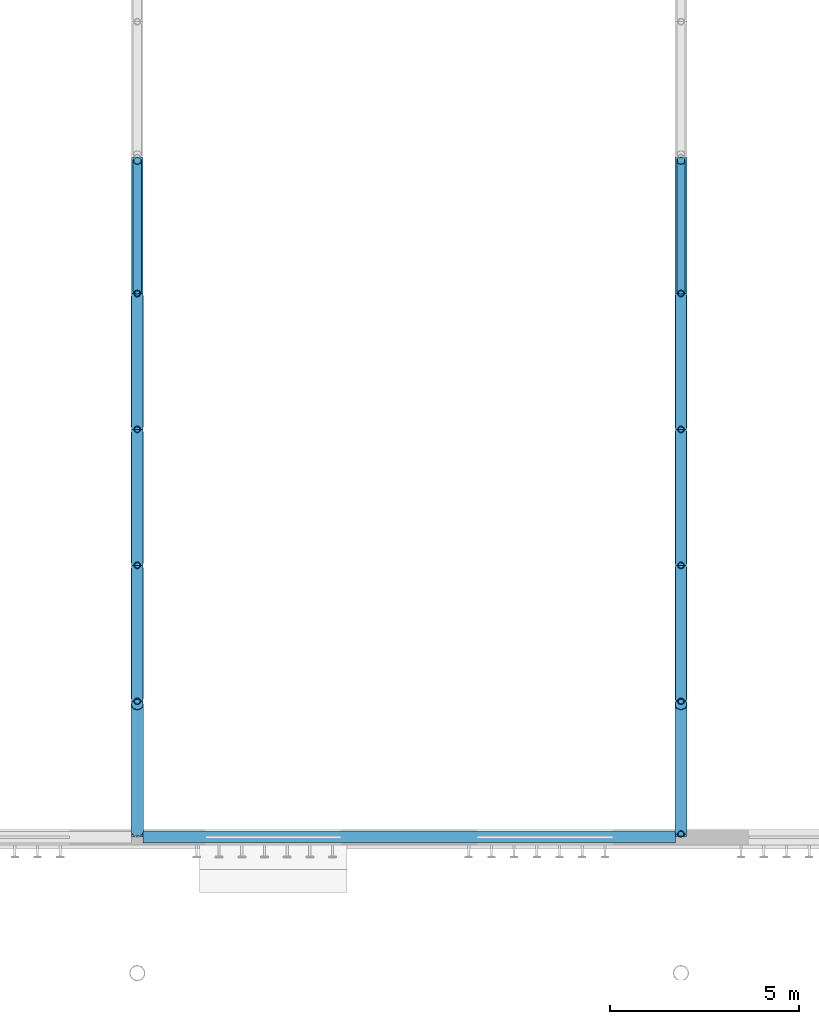
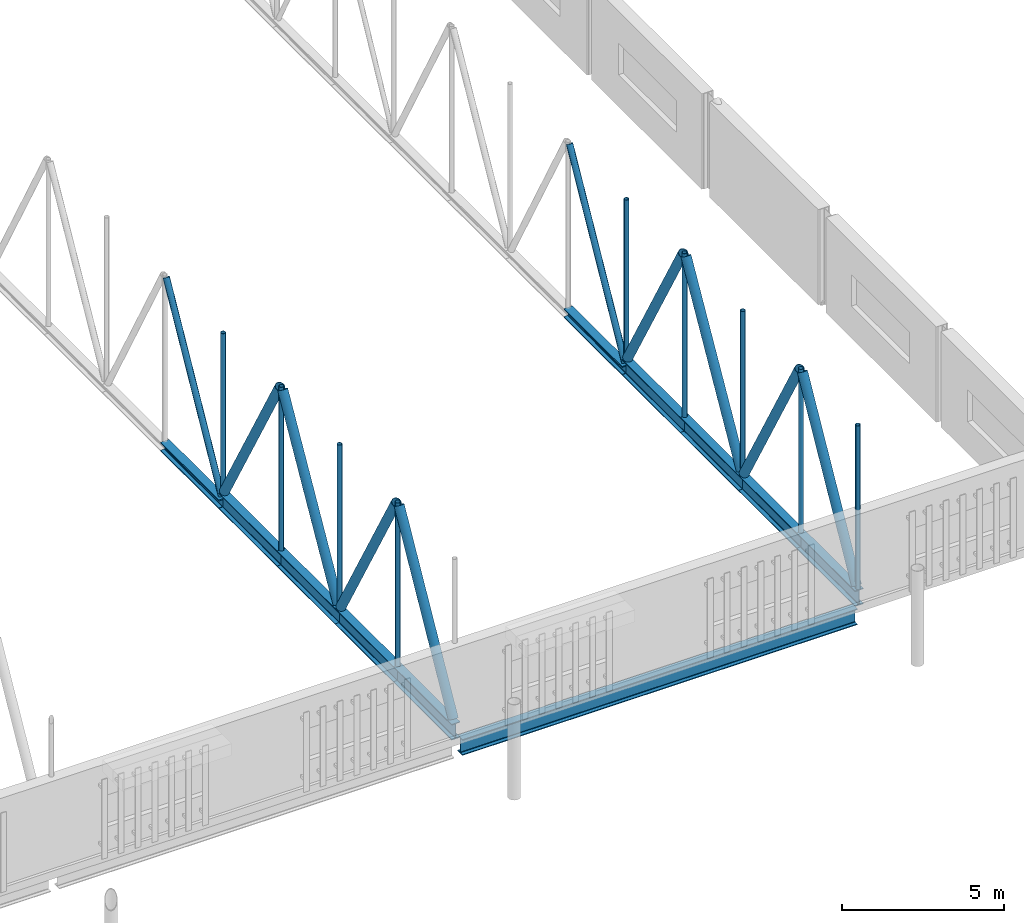
# One storey, part 57 of 142: 29 members, 1 beam.
"""IFC4 building model written with IfcOpenShell, lengths in metres."""

from ifc_helpers import new_model, si_unit, direction, frame, origin, origin_2d, place, context, subcontext, project, spatial, hollow_circle, i_section, extrude, material, material_profile, profile_set, type_object, element, save


model = new_model("IFC4")

# Units and contexts
model_context = context("Model", 3, precision=1e-05, world=origin(), true_north=direction((0.0, 1.0)))
body_context = subcontext(model_context, "Body", "Model", "MODEL_VIEW")
ifc_project = project(units=[si_unit("LENGTHUNIT", "METRE"), si_unit("AREAUNIT", "SQUARE_METRE"), si_unit("VOLUMEUNIT", "CUBIC_METRE"), si_unit("PLANEANGLEUNIT", "RADIAN"), si_unit("MASSUNIT", "GRAM", prefix="KILO")], contexts=[model_context])

# Site, building, storey
site_placement = place(None, origin())
site = spatial("IfcSite", under=ifc_project, at=site_placement, CompositionType="ELEMENT")
building_placement = place(site_placement, origin())
building = spatial("IfcBuilding", under=site, at=building_placement, Name="Kupolbacken Congress Centre", CompositionType="ELEMENT")
storey_placement = place(building_placement, frame((0.0, 0.0, 14.39990234375)))
storey = spatial("IfcBuildingStorey", under=building, at=storey_placement, Name="L04", CompositionType="ELEMENT", Elevation=14.39990234375)

# Beam
ifc_material_1 = material(Name="Steel S355", Category="steel")
ifc_material_profile_1 = material_profile(ifc_material_1, i_section(OverallWidth=0.300048828125, OverallDepth=0.60009765625, WebThickness=0.015380859375, FlangeThickness=0.030029296875, FilletRadius=0.027099609375, at=origin_2d()), Name="HEB 600")
ifc_profile_set_1 = profile_set([ifc_material_profile_1], Name="Steel S355")
beam_type = type_object("IfcBeamType", Name="B15 beam HEB 600", PredefinedType="BEAM", material=ifc_profile_set_1)
beam_placement = place(storey_placement, frame((180.14990234375, 43.199951171875, -0.2998046875), z_axis=(1.0, 0.0, 0.0), x_axis=(0.0, 1.0, 0.0)))
element("IfcBeam", 1, at=beam_placement, inside=storey, type_object=beam_type, Name="Edge girder", PredefinedType="BEAM", context=body_context, shape_type="SweptSolid", body=[
    extrude(i_section(OverallWidth=0.300048828125, OverallDepth=0.60009765625, WebThickness=0.015380859375, FlangeThickness=0.030029296875, FilletRadius=0.027099609375, at=origin_2d()), origin(), (0.0, 0.0, 1.0), 14.10009765625),
])

# Members
ifc_material_2 = material(Name="Steel S355", Category="steel")
ifc_material_profile_2 = material_profile(ifc_material_2, i_section(OverallWidth=0.31005859375, OverallDepth=0.340087890625, WebThickness=0.02099609375, FlangeThickness=0.0390625, FilletRadius=0.027099609375, at=origin_2d()), Name="HEM 300")
ifc_profile_set_2 = profile_set([ifc_material_profile_2], Name="Steel S355")
member_type_1 = type_object("IfcMemberType", Name="M01 transfer truss chord HEM 300", PredefinedType="CHORD", material=ifc_profile_set_2)
for number, where, z_axis, x_axis, name in (
    (2, (180.0, 57.60009765625, 0.16015625), (0.0, 1.0, 0.0), (-1.0, 0.0, 0.0), "HT/T7/BC05"),
    (3, (194.39990234375, 57.60009765625, 0.16015625), (0.0, 1.0, 0.0), (-1.0, 0.0, 0.0), "HT/T8/BC05"),
):
    element("IfcMember", number, at=place(storey_placement, frame(where, z_axis=z_axis, x_axis=x_axis)), inside=storey, type_object=member_type_1, Name=name, PredefinedType="CHORD", context=body_context, shape_type="SweptSolid", body=[
        extrude(i_section(OverallWidth=0.31005859375, OverallDepth=0.340087890625, WebThickness=0.02099609375, FlangeThickness=0.0390625, FilletRadius=0.027099609375, at=origin_2d()), origin(), (0.0, 0.0, 1.0), 3.599853515625),
    ])
ifc_material_3 = material(Name="Steel S355", Category="steel")
ifc_material_profile_3 = material_profile(ifc_material_3, i_section(OverallWidth=0.300048828125, OverallDepth=0.60009765625, WebThickness=0.015380859375, FlangeThickness=0.030029296875, FilletRadius=0.027099609375, at=origin_2d()), Name="HEB 600")
ifc_profile_set_3 = profile_set([ifc_material_profile_3], Name="Steel S355")
member_type_2 = type_object("IfcMemberType", Name="M02 transfer truss chord HEB 600", PredefinedType="CHORD", material=ifc_profile_set_3)
member_1_placement = place(storey_placement, frame((180.0, 43.199951171875, 0.2900390625), z_axis=(0.0, 1.0, 0.0), x_axis=(-1.0, 0.0, 0.0)))
element("IfcMember", 4, at=member_1_placement, inside=storey, type_object=member_type_2, Name="HT/T7/BC01", PredefinedType="CHORD", context=body_context, shape_type="SweptSolid", body=[
    extrude(i_section(OverallWidth=0.300048828125, OverallDepth=0.60009765625, WebThickness=0.015380859375, FlangeThickness=0.030029296875, FilletRadius=0.027099609375, at=origin_2d()), origin(), (0.0, 0.0, 1.0), 3.60009765625),
])
member_2_placement = place(storey_placement, frame((180.0, 46.800048828125, 0.2900390625), z_axis=(0.0, 1.0, 0.0), x_axis=(-1.0, 0.0, 0.0)))
element("IfcMember", 5, at=member_2_placement, inside=storey, type_object=member_type_2, Name="HT/T7/BC02", PredefinedType="CHORD", context=body_context, shape_type="SweptSolid", body=[
    extrude(i_section(OverallWidth=0.300048828125, OverallDepth=0.60009765625, WebThickness=0.015380859375, FlangeThickness=0.030029296875, FilletRadius=0.027099609375, at=origin_2d()), origin(), (0.0, 0.0, 1.0), 3.599853515625),
])
for number, where, z_axis, x_axis, name in (
    (6, (180.0, 50.39990234375, 0.2900390625), (0.0, 1.0, 0.0), (-1.0, 0.0, 0.0), "HT/T7/BC03"),
    (7, (180.0, 54.0, 0.2900390625), (0.0, 1.0, 0.0), (-1.0, 0.0, 0.0), "HT/T7/BC04"),
    (8, (194.39990234375, 43.199951171875, 0.2900390625), (0.0, 1.0, 0.0), (-1.0, 0.0, 0.0), "HT/T8/BC01"),
):
    element("IfcMember", number, at=place(storey_placement, frame(where, z_axis=z_axis, x_axis=x_axis)), inside=storey, type_object=member_type_2, Name=name, PredefinedType="CHORD", context=body_context, shape_type="SweptSolid", body=[
        extrude(i_section(OverallWidth=0.300048828125, OverallDepth=0.60009765625, WebThickness=0.015380859375, FlangeThickness=0.030029296875, FilletRadius=0.027099609375, at=origin_2d()), origin(), (0.0, 0.0, 1.0), 3.60009765625),
    ])
member_3_placement = place(storey_placement, frame((194.39990234375, 46.800048828125, 0.2900390625), z_axis=(0.0, 1.0, 0.0), x_axis=(-1.0, 0.0, 0.0)))
element("IfcMember", 9, at=member_3_placement, inside=storey, type_object=member_type_2, Name="HT/T8/BC02", PredefinedType="CHORD", context=body_context, shape_type="SweptSolid", body=[
    extrude(i_section(OverallWidth=0.300048828125, OverallDepth=0.60009765625, WebThickness=0.015380859375, FlangeThickness=0.030029296875, FilletRadius=0.027099609375, at=origin_2d()), origin(), (0.0, 0.0, 1.0), 3.599853515625),
])
for number, where, z_axis, x_axis, name in (
    (10, (194.39990234375, 50.39990234375, 0.2900390625), (0.0, 1.0, 0.0), (-1.0, 0.0, 0.0), "HT/T8/BC03"),
    (11, (194.39990234375, 54.0, 0.2900390625), (0.0, 1.0, 0.0), (-1.0, 0.0, 0.0), "HT/T8/BC04"),
):
    element("IfcMember", number, at=place(storey_placement, frame(where, z_axis=z_axis, x_axis=x_axis)), inside=storey, type_object=member_type_2, Name=name, PredefinedType="CHORD", context=body_context, shape_type="SweptSolid", body=[
        extrude(i_section(OverallWidth=0.300048828125, OverallDepth=0.60009765625, WebThickness=0.015380859375, FlangeThickness=0.030029296875, FilletRadius=0.027099609375, at=origin_2d()), origin(), (0.0, 0.0, 1.0), 3.60009765625),
    ])
ifc_material_4 = material(Name="Steel S355", Category="steel")
ifc_material_profile_4 = material_profile(ifc_material_4, hollow_circle(Radius=0.161865234375, WallThickness=0.012451171875, at=origin_2d()), Name="CHS 323.9 x 12.5")
ifc_profile_set_4 = profile_set([ifc_material_profile_4], Name="Steel S355")
member_type_3 = type_object("IfcMemberType", Name="M04 transfer truss web CHS 323.9 x 12.5", PredefinedType="BRACE", material=ifc_profile_set_4)
member_4_placement = place(storey_placement, frame((180.0, 43.368408203125, 0.6572265625), z_axis=(0.0, 0.485009080024, 0.874509115043), x_axis=(-1.0, 0.0, 0.0)))
element("IfcMember", 12, at=member_4_placement, inside=storey, type_object=member_type_3, Name="HT/T7/D01", PredefinedType="BRACE", context=body_context, shape_type="SweptSolid", body=[
    extrude(hollow_circle(Radius=0.161865234375, WallThickness=0.012451171875, at=origin_2d()), origin(), (0.0, 0.0, 1.0), 6.90185546875),
])
member_5_placement = place(storey_placement, frame((180.0, 46.884033203125, 6.69140625), z_axis=(0.0, 0.494482554546, -0.869187553552), x_axis=(-1.0, 0.0, 0.0)))
element("IfcMember", 13, at=member_5_placement, inside=storey, type_object=member_type_3, Name="HT/T7/D02", PredefinedType="BRACE", context=body_context, shape_type="SweptSolid", body=[
    extrude(hollow_circle(Radius=0.161865234375, WallThickness=0.012451171875, at=origin_2d()), origin(), (0.0, 0.0, 1.0), 6.9404296875),
])
for number, where, z_axis, x_axis, name in (
    (14, (180.0, 50.484130859375, 0.658935546875), (0.0, 0.494455978115, 0.869202672399), (-1.0, 0.0, 0.0), "HT/T7/D03"),
    (15, (180.0, 54.084228515625, 6.69140625), (0.0, 0.494455978115, -0.869202672399), (-1.0, 0.0, 0.0), "HT/T7/D04"),
):
    element("IfcMember", number, at=place(storey_placement, frame(where, z_axis=z_axis, x_axis=x_axis)), inside=storey, type_object=member_type_3, Name=name, PredefinedType="BRACE", context=body_context, shape_type="SweptSolid", body=[
        extrude(hollow_circle(Radius=0.161865234375, WallThickness=0.012451171875, at=origin_2d()), origin(), (0.0, 0.0, 1.0), 6.940185546875),
    ])
member_6_placement = place(storey_placement, frame((194.39990234375, 43.368408203125, 0.6572265625), z_axis=(0.0, 0.485009080024, 0.874509115043), x_axis=(-1.0, 0.0, 0.0)))
element("IfcMember", 16, at=member_6_placement, inside=storey, type_object=member_type_3, Name="HT/T8/D01", PredefinedType="BRACE", context=body_context, shape_type="SweptSolid", body=[
    extrude(hollow_circle(Radius=0.161865234375, WallThickness=0.012451171875, at=origin_2d()), origin(), (0.0, 0.0, 1.0), 6.90185546875),
])
member_7_placement = place(storey_placement, frame((194.39990234375, 46.884033203125, 6.69140625), z_axis=(0.0, 0.494482554546, -0.869187553552), x_axis=(-1.0, 0.0, 0.0)))
element("IfcMember", 17, at=member_7_placement, inside=storey, type_object=member_type_3, Name="HT/T8/D02", PredefinedType="BRACE", context=body_context, shape_type="SweptSolid", body=[
    extrude(hollow_circle(Radius=0.161865234375, WallThickness=0.012451171875, at=origin_2d()), origin(), (0.0, 0.0, 1.0), 6.9404296875),
])
for number, where, z_axis, x_axis, name in (
    (18, (194.39990234375, 50.484130859375, 0.658935546875), (0.0, 0.494455978115, 0.869202672399), (-1.0, 0.0, 0.0), "HT/T8/D03"),
    (19, (194.39990234375, 54.084228515625, 6.69140625), (0.0, 0.494455978115, -0.869202672399), (-1.0, 0.0, 0.0), "HT/T8/D04"),
):
    element("IfcMember", number, at=place(storey_placement, frame(where, z_axis=z_axis, x_axis=x_axis)), inside=storey, type_object=member_type_3, Name=name, PredefinedType="BRACE", context=body_context, shape_type="SweptSolid", body=[
        extrude(hollow_circle(Radius=0.161865234375, WallThickness=0.012451171875, at=origin_2d()), origin(), (0.0, 0.0, 1.0), 6.940185546875),
    ])
ifc_material_5 = material(Name="Steel S355", Category="steel")
ifc_material_profile_5 = material_profile(ifc_material_5, hollow_circle(Radius=0.109619140625, WallThickness=0.010009765625, at=origin_2d()), Name="CHS 219.1 x 10")
ifc_profile_set_5 = profile_set([ifc_material_profile_5], Name="Steel S355")
member_type_4 = type_object("IfcMemberType", Name="M05 transfer truss web CHS 219.1 x 10", PredefinedType="BRACE", material=ifc_profile_set_5)
for number, where, z_axis, x_axis, name in (
    (20, (180.0, 57.68408203125, 0.372802734375), (0.0, 0.485197410842, 0.87440463889), (-1.0, 0.0, 0.0), "HT/T7/D05"),
    (21, (194.39990234375, 57.68408203125, 0.372802734375), (0.0, 0.485197410842, 0.87440463889), (-1.0, 0.0, 0.0), "HT/T8/D05"),
):
    element("IfcMember", number, at=place(storey_placement, frame(where, z_axis=z_axis, x_axis=x_axis)), inside=storey, type_object=member_type_4, Name=name, PredefinedType="BRACE", context=body_context, shape_type="SweptSolid", body=[
        extrude(hollow_circle(Radius=0.109619140625, WallThickness=0.010009765625, at=origin_2d()), origin(), (0.0, 0.0, 1.0), 7.0732421875),
    ])
ifc_material_6 = material(Name="Steel S355", Category="steel")
ifc_material_profile_6 = material_profile(ifc_material_6, hollow_circle(Radius=0.084228515625, WallThickness=0.008056640625, at=origin_2d()), Name="CHS 168.3 x 8")
ifc_profile_set_6 = profile_set([ifc_material_profile_6], Name="Steel S355")
member_type_5 = type_object("IfcMemberType", Name="M20 transfer truss post CHS 168.3 x 8", PredefinedType="STRUT", material=ifc_profile_set_6)
for number, where, z_axis, x_axis, name in (
    (22, (180.0, 46.800048828125, 0.580078125), (0.0, 0.0, 1.0), (0.0, 1.0, 0.0), "HT/T7/P01"),
    (23, (180.0, 50.39990234375, 0.580078125), (0.0, 0.0, 1.0), (0.0, 1.0, 0.0), "HT/T7/P02"),
    (24, (180.0, 54.0, 0.580078125), (0.0, 0.0, 1.0), (0.0, 1.0, 0.0), "HT/T7/P03"),
):
    element("IfcMember", number, at=place(storey_placement, frame(where, z_axis=z_axis, x_axis=x_axis)), inside=storey, type_object=member_type_5, Name=name, PredefinedType="STRUT", context=body_context, shape_type="SweptSolid", body=[
        extrude(hollow_circle(Radius=0.084228515625, WallThickness=0.008056640625, at=origin_2d()), origin(), (0.0, 0.0, 1.0), 6.18994140625),
    ])
member_8_placement = place(storey_placement, frame((180.0, 57.60009765625, 0.580078125), z_axis=(0.0, 0.0, 1.0), x_axis=(0.0, 1.0, 0.0)))
element("IfcMember", 25, at=member_8_placement, inside=storey, type_object=member_type_5, Name="HT/T7/P04", PredefinedType="STRUT", context=body_context, shape_type="SweptSolid", body=[
    extrude(hollow_circle(Radius=0.084228515625, WallThickness=0.008056640625, at=origin_2d()), origin(), (0.0, 0.0, 1.0), 6.030029296875),
])
for number, where, z_axis, x_axis, name in (
    (26, (194.39990234375, 43.2841796875, 0.580078125), (0.0, 0.0, 1.0), (0.0, 1.0, 0.0), "HT/T8/P00"),
    (27, (194.39990234375, 46.800048828125, 0.580078125), (0.0, 0.0, 1.0), (0.0, 1.0, 0.0), "HT/T8/P01"),
    (28, (194.39990234375, 50.39990234375, 0.580078125), (0.0, 0.0, 1.0), (0.0, 1.0, 0.0), "HT/T8/P02"),
    (29, (194.39990234375, 54.0, 0.580078125), (0.0, 0.0, 1.0), (0.0, 1.0, 0.0), "HT/T8/P03"),
):
    element("IfcMember", number, at=place(storey_placement, frame(where, z_axis=z_axis, x_axis=x_axis)), inside=storey, type_object=member_type_5, Name=name, PredefinedType="STRUT", context=body_context, shape_type="SweptSolid", body=[
        extrude(hollow_circle(Radius=0.084228515625, WallThickness=0.008056640625, at=origin_2d()), origin(), (0.0, 0.0, 1.0), 6.18994140625),
    ])
member_9_placement = place(storey_placement, frame((194.39990234375, 57.60009765625, 0.580078125), z_axis=(0.0, 0.0, 1.0), x_axis=(0.0, 1.0, 0.0)))
element("IfcMember", 30, at=member_9_placement, inside=storey, type_object=member_type_5, Name="HT/T8/P04", PredefinedType="STRUT", context=body_context, shape_type="SweptSolid", body=[
    extrude(hollow_circle(Radius=0.084228515625, WallThickness=0.008056640625, at=origin_2d()), origin(), (0.0, 0.0, 1.0), 6.030029296875),
])

save(model, "model.ifc")
